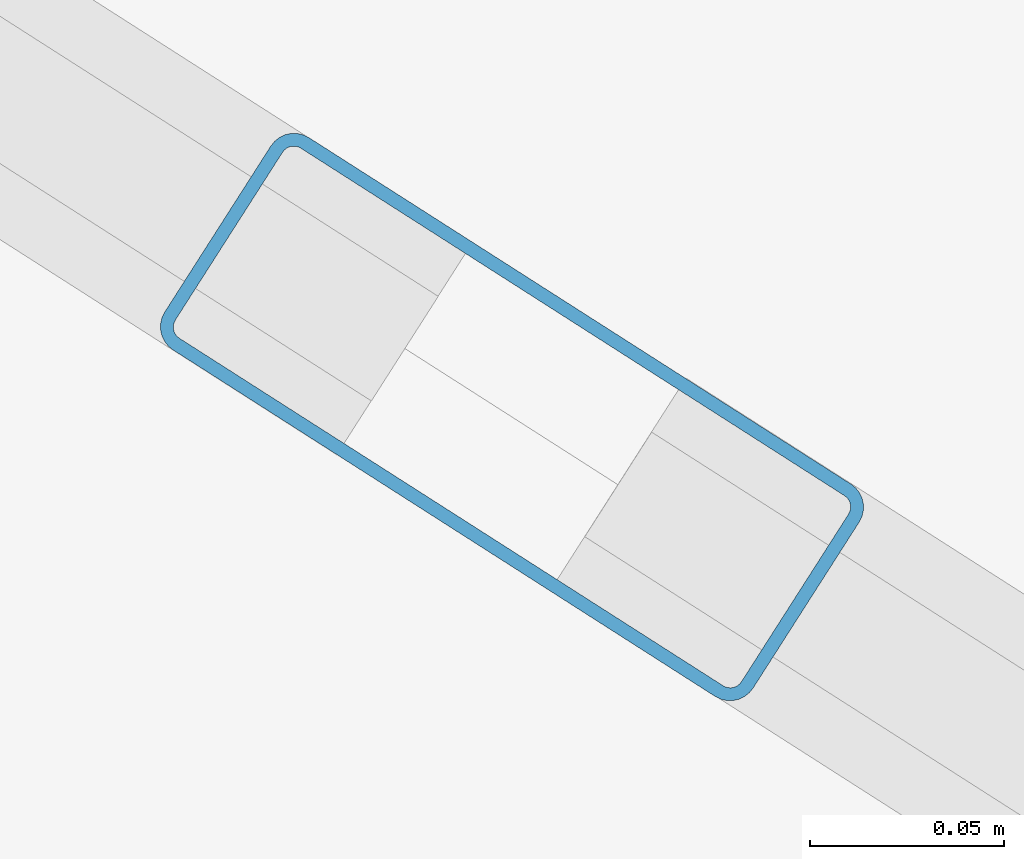
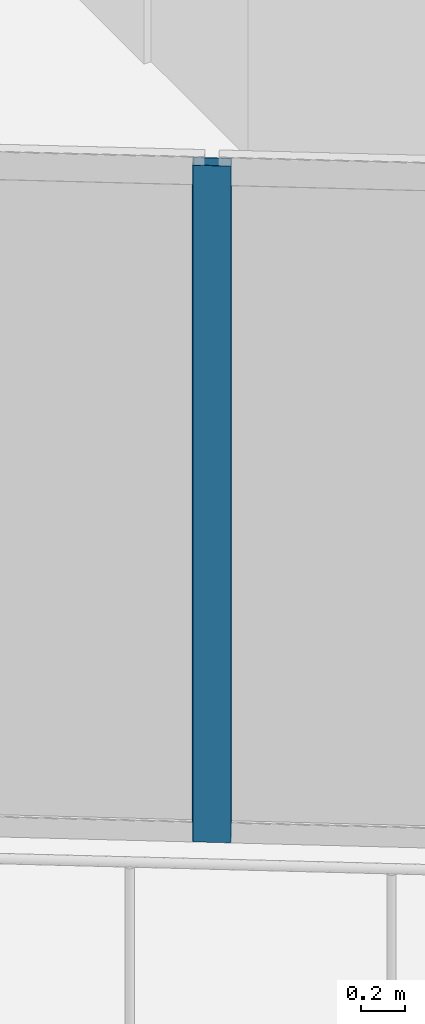
# One storey, part 2 of 37: 1 member, 1 element without a shape of its own.
"""IFC4 building model written with IfcOpenShell, lengths in metres."""

from ifc_helpers import new_model, si_unit, direction, frame, origin, origin_2d, place, context, subcontext, project, spatial, hollow_rectangle, extrude, material, layer, layer_set, material_profile, profile_set, type_object, element, aggregate, save


model = new_model("IFC4")

# Units and contexts
model_context = context("Model", 3, precision=1e-05, world=origin(), true_north=direction((0.0, 1.0)))
body_context = subcontext(model_context, "Body", "Model", "MODEL_VIEW")
ifc_project = project(units=[si_unit("LENGTHUNIT", "METRE"), si_unit("AREAUNIT", "SQUARE_METRE"), si_unit("VOLUMEUNIT", "CUBIC_METRE"), si_unit("PLANEANGLEUNIT", "RADIAN"), si_unit("MASSUNIT", "GRAM", prefix="KILO")], contexts=[model_context])

# Site, building, storey
site_placement = place(None, origin())
site = spatial("IfcSite", under=ifc_project, at=site_placement, CompositionType="ELEMENT")
building_placement = place(site_placement, origin())
building = spatial("IfcBuilding", under=site, at=building_placement, Name="Qorvath Tower", CompositionType="ELEMENT")
storey_placement = place(building_placement, frame((0.0, 0.0, 188.85009765625)))
storey = spatial("IfcBuildingStorey", under=building, at=storey_placement, Name="L43", CompositionType="ELEMENT", Elevation=188.85009765625)

# Curtain wall, member
ifc_material_1 = material(Name="Anodised aluminium and triple low-E glass", Category="aluminium")
ifc_layer = layer(ifc_material_1, 0.179931640625)
ifc_layer_set = layer_set([ifc_layer], Name="CW-SYS-3")
curtain_wall_type = type_object("IfcCurtainWallType", Name="CW-SYS-3", PredefinedType="NOTDEFINED", material=ifc_layer_set)
curtain_wall_placement = place(storey_placement, origin())
curtain_wall = element("IfcCurtainWall", 1, at=curtain_wall_placement, inside=storey, type_object=curtain_wall_type, Name="Curtain Wall CW-3 CW-T-L43-2.1", PredefinedType="NOTDEFINED")
ifc_material_2 = material(Name="Anodised aluminium 6063-T6", Category="aluminium")
ifc_material_profile = material_profile(ifc_material_2, hollow_rectangle(XDim=0.06494140625, YDim=0.179931640625, WallThickness=0.00341796875, InnerFilletRadius=0.00341796875, OuterFilletRadius=0.007080078125, at=origin_2d()), Name="CWM 180x65")
ifc_profile_set = profile_set([ifc_material_profile], Name="Anodised aluminium 6063-T6")
member_type = type_object("IfcMemberType", Name="CWM-180", PredefinedType="MULLION", material=ifc_profile_set)
member_placement = place(storey_placement, frame((-40.72900390625, -12.8701171875, 0.0), z_axis=(0.0, 0.0, 1.0), x_axis=(0.53852951489, 0.842606647014, 0.0)))
member = element("IfcMember", 2, at=member_placement, type_object=member_type, Name="CW-3 mullion 4", PredefinedType="MULLION", context=body_context, shape_type="SweptSolid", body=[
    extrude(hollow_rectangle(XDim=0.06494140625, YDim=0.179931640625, WallThickness=0.00341796875, InnerFilletRadius=0.00341796875, OuterFilletRadius=0.007080078125, at=origin_2d()), origin(), (0.0, 0.0, 1.0), 3.77978515625),
])
aggregate(curtain_wall, [member])

save(model, "model.ifc")
